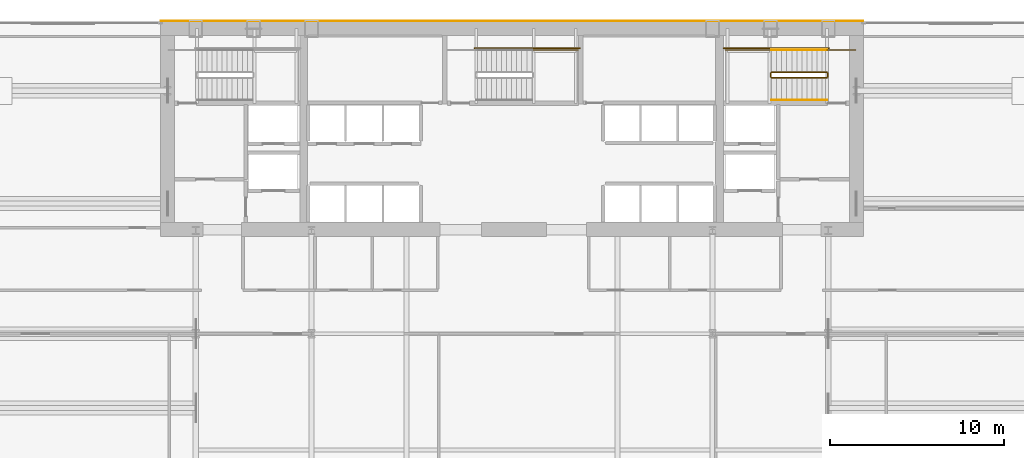
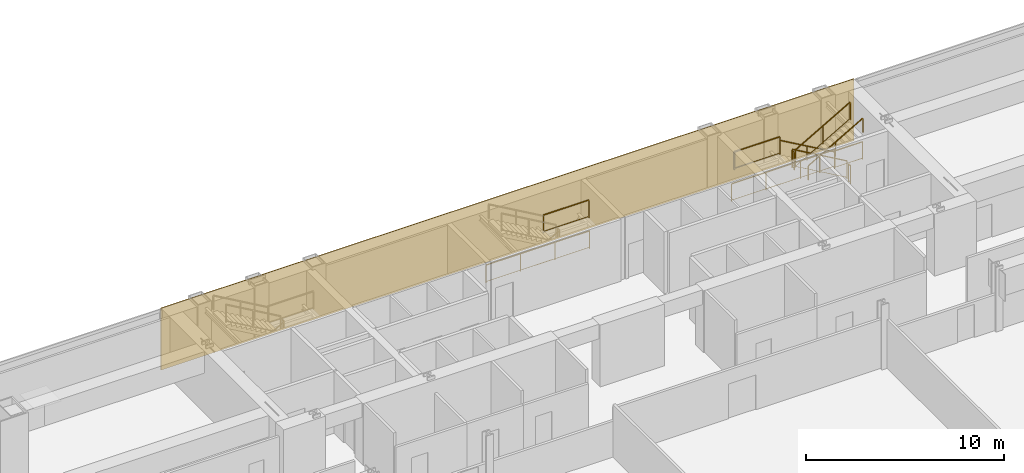
# One storey, part 31 of 32: 11 railings, 1 covering.
"""IFC4 building model written with IfcOpenShell, lengths in metres."""

from ifc_helpers import new_model, si_unit, direction, frame, origin, origin_2d, place, context, subcontext, project, spatial, polyline, rectangle, outline, extrude, material, layer, layer_set, type_object, element, save


model = new_model("IFC4")

# Units and contexts
model_context = context("Model", 3, precision=1e-05, world=origin(), true_north=direction((0.0, 1.0)))
body_context = subcontext(model_context, "Body", "Model", "MODEL_VIEW")
ifc_project = project(units=[si_unit("LENGTHUNIT", "METRE"), si_unit("AREAUNIT", "SQUARE_METRE"), si_unit("VOLUMEUNIT", "CUBIC_METRE"), si_unit("PLANEANGLEUNIT", "RADIAN"), si_unit("MASSUNIT", "GRAM", prefix="KILO")], contexts=[model_context])

# Site, building, storey
site_placement = place(None, origin())
site = spatial("IfcSite", under=ifc_project, at=site_placement, CompositionType="ELEMENT")
building_placement = place(site_placement, origin())
building = spatial("IfcBuilding", under=site, at=building_placement, Name="Khoronbel Lancet Exchange", CompositionType="ELEMENT")
storey_placement = place(building_placement, frame((0.0, 0.0, 77.800048828125)))
storey = spatial("IfcBuildingStorey", under=building, at=storey_placement, Name="L18", CompositionType="ELEMENT", Elevation=77.800048828125)

# Covering
ifc_material_1 = material(Name="Honed Egyptian Limestone & Bronze Rainscreen", Category="masonry")
ifc_layer = layer(ifc_material_1, 0.050048828125, Name="Honed Egyptian Limestone & Bronze Rainscreen")
ifc_layer_set = layer_set([ifc_layer], Name="Honed Egyptian Limestone & Bronze Rainscreen")
covering_type = type_object("IfcCoveringType", Name="COV-CLAD1", PredefinedType="CLADDING", material=ifc_layer_set)
covering_placement = place(storey_placement, origin())
element("IfcCovering", 1, at=covering_placement, inside=storey, type_object=covering_type, Name="Level L18 north rear-core stone and bronze rainscreen cladding", PredefinedType="CLADDING", context=body_context, shape_type="SweptSolid", body=[
    extrude(outline(polyline([(16.199951171875, 53.699951171875), (56.699951171875, 53.699951171875), (56.699951171875, 53.75), (16.199951171875, 53.75), (16.199951171875, 53.699951171875)])), origin(), (0.0, 0.0, 1.0), 3.820068359375),
])

# Railings
ifc_material_2 = material(Name="Painted Steel Balustrade", Category="steel")
railing_type_1 = type_object("IfcRailingType", Name="RL-STG110", PredefinedType="GUARDRAIL", material=ifc_material_2)
railing_1_placement = place(storey_placement, frame((54.60009765625, 50.77001953125, 0.16650390625)))
element("IfcRailing", 2, at=railing_1_placement, inside=storey, type_object=railing_type_1, Name="L18 ST2 stair guard 1", PredefinedType="GUARDRAIL", context=body_context, shape_type="SweptSolid", body=[
    extrude(rectangle(XDim=0.048095703125, YDim=0.048095703125, at=origin_2d()), frame((0.0, 0.0, 1.09619140625), z_axis=(-0.867007354286, 0.0, 0.498295341753), x_axis=(0.0, -1.0, 0.0)), (0.0, 0.0, 1.0), 3.679443359375),
    extrude(rectangle(XDim=0.02392578125, YDim=0.02392578125, at=origin_2d()), frame((0.0, 0.0, 0.080078125), z_axis=(-0.867007354286, 0.0, 0.498295341753), x_axis=(0.0, -1.0, 0.0)), (0.0, 0.0, 1.0), 3.679443359375),
    extrude(rectangle(XDim=0.0419921875, YDim=0.0419921875, at=origin_2d()), origin(), (0.0, 0.0, 1.0), 1.072021484375),
    extrude(rectangle(XDim=0.0419921875, YDim=0.0419921875, at=origin_2d()), frame((-1.59521484375, 0.0, 0.916748046875)), (0.0, 0.0, 1.0), 1.072021484375),
    extrude(rectangle(XDim=0.0419921875, YDim=0.0419921875, at=origin_2d()), frame((-3.190185546875, 0.0, 1.83349609375)), (0.0, 0.0, 1.0), 1.072021484375),
])
railing_2_placement = place(storey_placement, frame((51.360107421875, 50.719970703125, 2.0)))
element("IfcRailing", 3, at=railing_2_placement, inside=storey, type_object=railing_type_1, Name="L18 ST2 stair guard 2", PredefinedType="GUARDRAIL", context=body_context, shape_type="SweptSolid", body=[
    extrude(rectangle(XDim=0.048095703125, YDim=0.048095703125, at=origin_2d()), frame((0.0, 0.0, 1.09619140625), z_axis=(0.0, -1.0, 0.0), x_axis=(1.0, 0.0, 0.0)), (0.0, 0.0, 1.0), 0.219970703125),
    extrude(rectangle(XDim=0.02392578125, YDim=0.02392578125, at=origin_2d()), frame((0.0, 0.0, 0.080078125), z_axis=(0.0, -1.0, 0.0), x_axis=(1.0, 0.0, 0.0)), (0.0, 0.0, 1.0), 0.219970703125),
    extrude(rectangle(XDim=0.0419921875, YDim=0.0419921875, at=origin_2d()), origin(), (0.0, 0.0, 1.0), 1.072021484375),
    extrude(rectangle(XDim=0.0419921875, YDim=0.0419921875, at=origin_2d()), frame((0.0, -0.219970703125, 0.0)), (0.0, 0.0, 1.0), 1.072021484375),
])
railing_3_placement = place(storey_placement, frame((51.409912109375, 52.050048828125, 2.0)))
element("IfcRailing", 4, at=railing_3_placement, inside=storey, type_object=railing_type_1, Name="L18 ST2 stair guard 3", PredefinedType="GUARDRAIL", context=body_context, shape_type="SweptSolid", body=[
    extrude(rectangle(XDim=0.048095703125, YDim=0.048095703125, at=origin_2d()), frame((0.0, 0.0, 1.09619140625), z_axis=(-1.0, 0.0, 0.0), x_axis=(0.0, -1.0, 0.0)), (0.0, 0.0, 1.0), 2.659912109375),
    extrude(rectangle(XDim=0.02392578125, YDim=0.02392578125, at=origin_2d()), frame((0.0, 0.0, 0.080078125), z_axis=(-1.0, 0.0, 0.0), x_axis=(0.0, -1.0, 0.0)), (0.0, 0.0, 1.0), 2.659912109375),
    extrude(rectangle(XDim=0.0419921875, YDim=0.0419921875, at=origin_2d()), origin(), (0.0, 0.0, 1.0), 1.072021484375),
    extrude(rectangle(XDim=0.0419921875, YDim=0.0419921875, at=origin_2d()), frame((-2.659912109375, 0.0, 0.0)), (0.0, 0.0, 1.0), 1.072021484375),
])
railing_4_placement = place(storey_placement, frame((51.409912109375, 50.449951171875, 2.16650390625)))
element("IfcRailing", 5, at=railing_4_placement, inside=storey, type_object=railing_type_1, Name="L18 ST2 stair guard 4", PredefinedType="GUARDRAIL", context=body_context, shape_type="SweptSolid", body=[
    extrude(rectangle(XDim=0.048095703125, YDim=0.048095703125, at=origin_2d()), frame((0.0, 0.0, 1.09619140625), z_axis=(0.867007354286, 0.0, 0.498295341753), x_axis=(0.0, 1.0, 0.0)), (0.0, 0.0, 1.0), 3.679443359375),
    extrude(rectangle(XDim=0.02392578125, YDim=0.02392578125, at=origin_2d()), frame((0.0, 0.0, 0.080078125), z_axis=(0.867007354286, 0.0, 0.498295341753), x_axis=(0.0, 1.0, 0.0)), (0.0, 0.0, 1.0), 3.679443359375),
    extrude(rectangle(XDim=0.0419921875, YDim=0.0419921875, at=origin_2d()), origin(), (0.0, 0.0, 1.0), 1.072021484375),
    extrude(rectangle(XDim=0.0419921875, YDim=0.0419921875, at=origin_2d()), frame((1.59521484375, 0.0, 0.916748046875)), (0.0, 0.0, 1.0), 1.072021484375),
    extrude(rectangle(XDim=0.0419921875, YDim=0.0419921875, at=origin_2d()), frame((3.190185546875, 0.0, 1.83349609375)), (0.0, 0.0, 1.0), 1.072021484375),
])
railing_5_placement = place(storey_placement, frame((54.64990234375, 50.719970703125, 0.0)))
element("IfcRailing", 6, at=railing_5_placement, inside=storey, type_object=railing_type_1, Name="L18 ST2 stair guard 5", PredefinedType="GUARDRAIL", context=body_context, shape_type="SweptSolid", body=[
    extrude(rectangle(XDim=0.048095703125, YDim=0.048095703125, at=origin_2d()), frame((0.0, 0.0, 1.09619140625), z_axis=(0.0, -1.0, 0.0), x_axis=(1.0, 0.0, 0.0)), (0.0, 0.0, 1.0), 0.219970703125),
    extrude(rectangle(XDim=0.02392578125, YDim=0.02392578125, at=origin_2d()), frame((0.0, 0.0, 0.080078125), z_axis=(0.0, -1.0, 0.0), x_axis=(1.0, 0.0, 0.0)), (0.0, 0.0, 1.0), 0.219970703125),
    extrude(rectangle(XDim=0.0419921875, YDim=0.0419921875, at=origin_2d()), origin(), (0.0, 0.0, 1.0), 1.072021484375),
    extrude(rectangle(XDim=0.0419921875, YDim=0.0419921875, at=origin_2d()), frame((0.0, -0.219970703125, 0.0)), (0.0, 0.0, 1.0), 1.072021484375),
])
railing_6_placement = place(storey_placement, frame((56.25, 52.050048828125, 0.0)))
element("IfcRailing", 7, at=railing_6_placement, inside=storey, type_object=railing_type_1, Name="L18 ST2 stair guard 6", PredefinedType="GUARDRAIL", context=body_context, shape_type="SweptSolid", body=[
    extrude(rectangle(XDim=0.048095703125, YDim=0.048095703125, at=origin_2d()), frame((0.0, 0.0, 1.09619140625), z_axis=(-1.0, 0.0, 0.0), x_axis=(0.0, -1.0, 0.0)), (0.0, 0.0, 1.0), 1.64990234375),
    extrude(rectangle(XDim=0.02392578125, YDim=0.02392578125, at=origin_2d()), frame((0.0, 0.0, 0.080078125), z_axis=(-1.0, 0.0, 0.0), x_axis=(0.0, -1.0, 0.0)), (0.0, 0.0, 1.0), 1.64990234375),
    extrude(rectangle(XDim=0.0419921875, YDim=0.0419921875, at=origin_2d()), origin(), (0.0, 0.0, 1.0), 1.072021484375),
    extrude(rectangle(XDim=0.0419921875, YDim=0.0419921875, at=origin_2d()), frame((-1.64990234375, 0.0, 0.0)), (0.0, 0.0, 1.0), 1.072021484375),
])
railing_7_placement = place(storey_placement, frame((54.699951171875, 52.14990234375, 0.0)))
element("IfcRailing", 8, at=railing_7_placement, inside=storey, type_object=railing_type_1, Name="L18 ST2 stair guard 7", PredefinedType="GUARDRAIL", context=body_context, shape_type="SweptSolid", body=[
    extrude(rectangle(XDim=0.048095703125, YDim=0.048095703125, at=origin_2d()), frame((0.0, 0.0, 1.09619140625), z_axis=(-1.0, 0.0, 0.0), x_axis=(0.0, -1.0, 0.0)), (0.0, 0.0, 1.0), 6.050048828125),
    extrude(rectangle(XDim=0.02392578125, YDim=0.02392578125, at=origin_2d()), frame((0.0, 0.0, 0.080078125), z_axis=(-1.0, 0.0, 0.0), x_axis=(0.0, -1.0, 0.0)), (0.0, 0.0, 1.0), 6.050048828125),
    extrude(rectangle(XDim=0.0419921875, YDim=0.0419921875, at=origin_2d()), origin(), (0.0, 0.0, 1.0), 1.072021484375),
    extrude(rectangle(XDim=0.0419921875, YDim=0.0419921875, at=origin_2d()), frame((-2.0166015625, 0.0, 0.0)), (0.0, 0.0, 1.0), 1.072021484375),
    extrude(rectangle(XDim=0.0419921875, YDim=0.0419921875, at=origin_2d()), frame((-4.033447265625, 0.0, 0.0)), (0.0, 0.0, 1.0), 1.072021484375),
    extrude(rectangle(XDim=0.0419921875, YDim=0.0419921875, at=origin_2d()), frame((-6.050048828125, 0.0, 0.0)), (0.0, 0.0, 1.0), 1.072021484375),
])
railing_8_placement = place(storey_placement, frame((37.590087890625, 52.050048828125, 2.0)))
element("IfcRailing", 9, at=railing_8_placement, inside=storey, type_object=railing_type_1, Name="L18 ST3 stair guard 3", PredefinedType="GUARDRAIL", context=body_context, shape_type="SweptSolid", body=[
    extrude(rectangle(XDim=0.048095703125, YDim=0.048095703125, at=origin_2d()), frame((0.0, 0.0, 1.09619140625), z_axis=(1.0, 0.0, 0.0), x_axis=(0.0, 1.0, 0.0)), (0.0, 0.0, 1.0), 2.659912109375),
    extrude(rectangle(XDim=0.02392578125, YDim=0.02392578125, at=origin_2d()), frame((0.0, 0.0, 0.080078125), z_axis=(1.0, 0.0, 0.0), x_axis=(0.0, 1.0, 0.0)), (0.0, 0.0, 1.0), 2.659912109375),
    extrude(rectangle(XDim=0.0419921875, YDim=0.0419921875, at=origin_2d()), origin(), (0.0, 0.0, 1.0), 1.072021484375),
    extrude(rectangle(XDim=0.0419921875, YDim=0.0419921875, at=origin_2d()), frame((2.659912109375, 0.0, 0.0)), (0.0, 0.0, 1.0), 1.072021484375),
])
railing_9_placement = place(storey_placement, frame((34.300048828125, 52.14990234375, 0.0)))
element("IfcRailing", 10, at=railing_9_placement, inside=storey, type_object=railing_type_1, Name="L18 ST3 stair guard 7", PredefinedType="GUARDRAIL", context=body_context, shape_type="SweptSolid", body=[
    extrude(rectangle(XDim=0.048095703125, YDim=0.048095703125, at=origin_2d()), frame((0.0, 0.0, 1.09619140625), z_axis=(1.0, 0.0, 0.0), x_axis=(0.0, 1.0, 0.0)), (0.0, 0.0, 1.0), 6.050048828125),
    extrude(rectangle(XDim=0.02392578125, YDim=0.02392578125, at=origin_2d()), frame((0.0, 0.0, 0.080078125), z_axis=(1.0, 0.0, 0.0), x_axis=(0.0, 1.0, 0.0)), (0.0, 0.0, 1.0), 6.050048828125),
    extrude(rectangle(XDim=0.0419921875, YDim=0.0419921875, at=origin_2d()), origin(), (0.0, 0.0, 1.0), 1.072021484375),
    extrude(rectangle(XDim=0.0419921875, YDim=0.0419921875, at=origin_2d()), frame((2.0166015625, 0.0, 0.0)), (0.0, 0.0, 1.0), 1.072021484375),
    extrude(rectangle(XDim=0.0419921875, YDim=0.0419921875, at=origin_2d()), frame((4.033447265625, 0.0, 0.0)), (0.0, 0.0, 1.0), 1.072021484375),
    extrude(rectangle(XDim=0.0419921875, YDim=0.0419921875, at=origin_2d()), frame((6.050048828125, 0.0, 0.0)), (0.0, 0.0, 1.0), 1.072021484375),
])
ifc_material_3 = material(Name="Brushed Stainless Steel 316", Category="steel")
railing_type_2 = type_object("IfcRailingType", Name="RL-STH92", PredefinedType="HANDRAIL", material=ifc_material_3)
railing_10_placement = place(storey_placement, frame((54.60009765625, 52.050048828125, 0.16650390625)))
element("IfcRailing", 11, at=railing_10_placement, inside=storey, type_object=railing_type_2, Name="L18 ST2 stair handrail 1", PredefinedType="HANDRAIL", context=body_context, shape_type="SweptSolid", body=[
    extrude(rectangle(XDim=0.048095703125, YDim=0.048095703125, at=origin_2d()), frame((0.0, 0.0, 0.8759765625), z_axis=(-0.867007354286, 0.0, 0.498295341753), x_axis=(0.0, -1.0, 0.0)), (0.0, 0.0, 1.0), 3.679443359375),
    extrude(rectangle(XDim=0.0419921875, YDim=0.0419921875, at=origin_2d()), origin(), (0.0, 0.0, 1.0), 0.851806640625),
    extrude(rectangle(XDim=0.0419921875, YDim=0.0419921875, at=origin_2d()), frame((-1.59521484375, 0.0, 0.916748046875)), (0.0, 0.0, 1.0), 0.851806640625),
    extrude(rectangle(XDim=0.0419921875, YDim=0.0419921875, at=origin_2d()), frame((-3.190185546875, 0.0, 1.83349609375)), (0.0, 0.0, 1.0), 0.851806640625),
])
railing_11_placement = place(storey_placement, frame((51.409912109375, 49.169921875, 2.16650390625)))
element("IfcRailing", 12, at=railing_11_placement, inside=storey, type_object=railing_type_2, Name="L18 ST2 stair handrail 2", PredefinedType="HANDRAIL", context=body_context, shape_type="SweptSolid", body=[
    extrude(rectangle(XDim=0.048095703125, YDim=0.048095703125, at=origin_2d()), frame((0.0, 0.0, 0.8759765625), z_axis=(0.867007354286, 0.0, 0.498295341753), x_axis=(0.0, 1.0, 0.0)), (0.0, 0.0, 1.0), 3.679443359375),
    extrude(rectangle(XDim=0.0419921875, YDim=0.0419921875, at=origin_2d()), origin(), (0.0, 0.0, 1.0), 0.851806640625),
    extrude(rectangle(XDim=0.0419921875, YDim=0.0419921875, at=origin_2d()), frame((1.59521484375, 0.0, 0.916748046875)), (0.0, 0.0, 1.0), 0.851806640625),
    extrude(rectangle(XDim=0.0419921875, YDim=0.0419921875, at=origin_2d()), frame((3.190185546875, 0.0, 1.83349609375)), (0.0, 0.0, 1.0), 0.851806640625),
])

save(model, "model.ifc")
